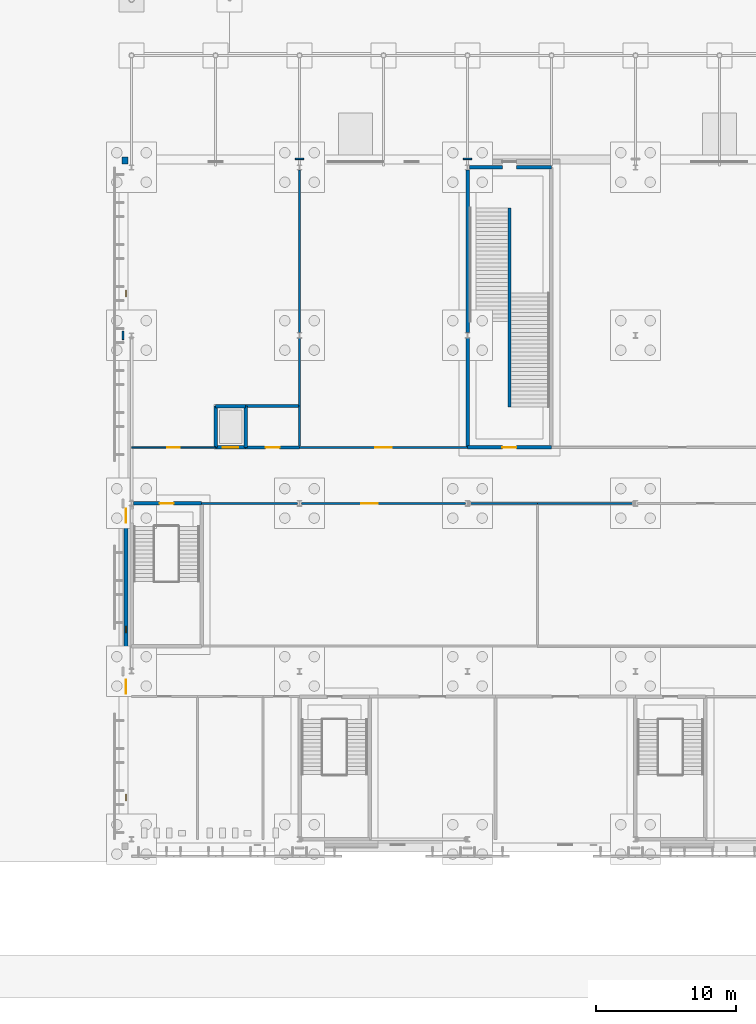
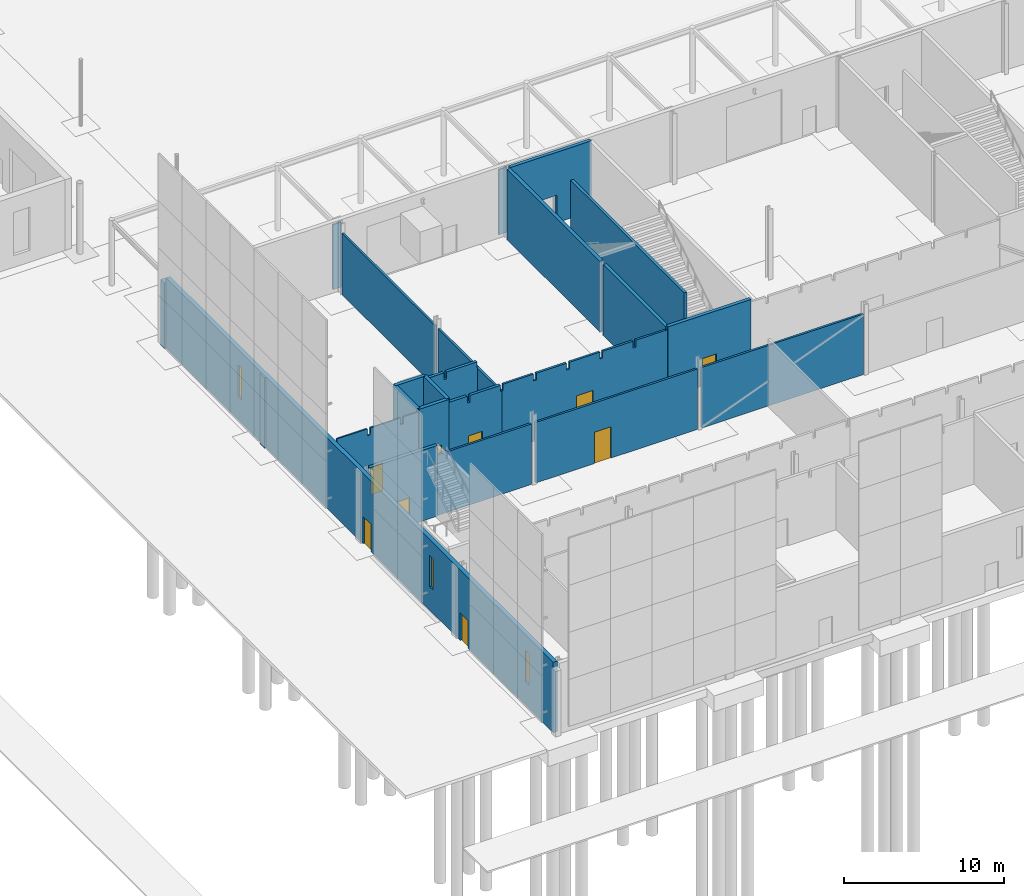
# One storey, part 66 of 132: 26 walls, 9 doors, 3 windows, 13 openings.
"""IFC4 building model written with IfcOpenShell, lengths in metres."""

from ifc_helpers import new_model, si_unit, direction, frame, frame_2d, origin, place, context, subcontext, project, spatial, polyline, rectangle, outline, extrude, material, layer, layer_set, type_object, element, fill, save


model = new_model("IFC4")

# Units and contexts
model_context = context("Model", 3, precision=1e-05, world=origin(), true_north=direction((0.0, 1.0)))
body_context = subcontext(model_context, "Body", "Model", "MODEL_VIEW")
ifc_project = project(units=[si_unit("LENGTHUNIT", "METRE"), si_unit("AREAUNIT", "SQUARE_METRE"), si_unit("VOLUMEUNIT", "CUBIC_METRE"), si_unit("PLANEANGLEUNIT", "RADIAN"), si_unit("MASSUNIT", "GRAM", prefix="KILO")], contexts=[model_context])

# Site, building, storey
site_placement = place(None, origin())
site = spatial("IfcSite", under=ifc_project, at=site_placement, CompositionType="ELEMENT")
building_placement = place(site_placement, origin())
building = spatial("IfcBuilding", under=site, at=building_placement, Name="Ravi Spectrum Wholesale Market", CompositionType="ELEMENT")
storey_placement = place(building_placement, origin())
storey = spatial("IfcBuildingStorey", under=building, at=storey_placement, Name="L00", CompositionType="ELEMENT", Elevation=0.0)

# Wall, opening, door
ifc_material_1 = material(Name="Concrete blockwork", Category="masonry")
ifc_layer_1 = layer(ifc_material_1, 0.199951171875)
ifc_layer_set_1 = layer_set([ifc_layer_1], Name="Concrete blockwork")
wall_type_1 = type_object("IfcWallType", Name="Blockwork partition 200 fire", PredefinedType="PARTITIONING", material=ifc_layer_set_1)
wall_1_placement = place(storey_placement, frame((206.14990234375, 46.0, 0.0), z_axis=(0.0, 0.0, 1.0), x_axis=(1.0, 0.0, 0.0)))
wall_1 = element("IfcWall", 1, at=wall_1_placement, inside=storey, type_object=wall_type_1, Name="CS-WL-L00-085", PredefinedType="PARTITIONING", context=body_context, shape_type="SweptSolid", body=[
    extrude(outline(polyline([(0.0, 0.0), (3.85009765625, 0.0), (3.85009765625, 4.679931640625), (3.7548828125, 4.679931640625), (3.75, 5.14990234375), (1.554931640625, 5.14990234375), (1.550048828125, 4.6298828125), (1.35009765625, 4.6298828125), (1.344970703125, 5.14990234375), (0.0, 5.14990234375), (0.0, 0.0)])), frame((0.0, 0.10009765625, 0.0), z_axis=(0.0, -1.0, 0.0), x_axis=(1.0, 0.0, 0.0)), (0.0, 0.0, 1.0), 0.199951171875),
])
opening_1_placement = place(wall_1_placement, frame((1.425048828125, 0.0, 0.0)))
opening_1 = element("IfcOpeningElement", 2, at=opening_1_placement, cuts=wall_1, Name="Opening D493", PredefinedType="OPENING", context=body_context, shape_type="SweptSolid", body=[
    extrude(rectangle(XDim=1.0, YDim=2.10009765625, at=frame_2d((0.5, 1.050048828125))), frame((0.0, 0.10986328125, 0.0), z_axis=(0.0, -1.0, 0.0), x_axis=(1.0, 0.0, 0.0)), (0.0, 0.0, 1.0), 0.219970703125),
])
ifc_material_2 = material(Name="Steel door", Category="steel")
door_type_1 = type_object("IfcDoorType", Name="Plant room door 1000 x 2100", OperationType="SINGLE_SWING_LEFT", PredefinedType="DOOR", material=ifc_material_2)
door_1_placement = place(opening_1_placement, origin())
door_1 = element("IfcDoor", 3, at=door_1_placement, inside=storey, type_object=door_type_1, Name="Riser access door D493", OperationType="SINGLE_SWING_RIGHT", OverallHeight=2.10009765625, OverallWidth=1.0, PredefinedType="DOOR", context=body_context, shape_type="SweptSolid", body=[
    extrude(rectangle(XDim=1.0, YDim=2.10009765625, at=frame_2d((0.5, 1.050048828125))), frame((0.0, 0.02490234375, 0.0), z_axis=(0.0, -1.0, 0.0), x_axis=(1.0, 0.0, 0.0)), (0.0, 0.0, 1.0), 0.050048828125),
])
fill(opening_1, door_1)

# Wall
wall_2_placement = place(storey_placement, frame((206.14990234375, 48.949951171875, 0.0), z_axis=(0.0, 0.0, 1.0), x_axis=(1.0, 0.0, 0.0)))
element("IfcWall", 4, at=wall_2_placement, inside=storey, type_object=wall_type_1, Name="CS-WL-L00-091", PredefinedType="PARTITIONING", context=body_context, shape_type="SweptSolid", body=[
    extrude(outline(polyline([(0.0, 0.0), (3.775146484375, 0.0), (3.77490234375, 4.679931640625), (3.7548828125, 4.679931640625), (3.75, 5.14990234375), (1.554931640625, 5.14990234375), (1.550048828125, 4.6298828125), (1.35009765625, 4.6298828125), (1.344970703125, 5.14990234375), (0.0, 5.14990234375), (0.0, 0.0)])), frame((0.0, 0.10009765625, 0.0), z_axis=(0.0, -1.0, 0.0), x_axis=(1.0, 0.0, 0.0)), (0.0, 0.0, 1.0), 0.199951171875),
])

# Wall, openings, doors, windows
ifc_material_3 = material(Name="Brick-faced insulated panel", Category="masonry")
ifc_layer_2 = layer(ifc_material_3, 0.300048828125)
ifc_layer_set_2 = layer_set([ifc_layer_2], Name="Brick-faced insulated panel")
wall_type_2 = type_object("IfcWallType", Name="Brick faced insulated panel 300", PredefinedType="SOLIDWALL", material=ifc_layer_set_2)
wall_3_placement = place(storey_placement, frame((197.60009765625, 66.25, 0.0), z_axis=(0.0, 0.0, 1.0), x_axis=(0.0, -1.0, 0.0)))
wall_3 = element("IfcWall", 5, at=wall_3_placement, inside=storey, type_object=wall_type_2, Name="CS-WL-L00-059", PredefinedType="SOLIDWALL", context=body_context, shape_type="SweptSolid", body=[
    extrude(rectangle(XDim=48.5, YDim=0.300048828125, at=frame_2d((24.25, 0.0))), origin(), (0.0, 0.0, 1.0), 5.39990234375),
])
opening_2_placement = place(wall_3_placement, frame((25.64990234375, 0.0, 0.0), z_axis=(0.0, 0.0, 1.0), x_axis=(-1.0, 0.0, 0.0)))
opening_2 = element("IfcOpeningElement", 6, at=opening_2_placement, cuts=wall_3, Name="Opening D476", PredefinedType="OPENING", context=body_context, shape_type="SweptSolid", body=[
    extrude(rectangle(XDim=1.0, YDim=2.10009765625, at=frame_2d((0.5, 1.050048828125))), frame((0.0, 0.159912109375, 0.0), z_axis=(0.0, -1.0, 0.0), x_axis=(1.0, 0.0, 0.0)), (0.0, 0.0, 1.0), 0.320068359375),
])
opening_3_placement = place(wall_3_placement, frame((37.85009765625, 0.0, 0.0), z_axis=(0.0, 0.0, 1.0), x_axis=(-1.0, 0.0, 0.0)))
opening_3 = element("IfcOpeningElement", 7, at=opening_3_placement, cuts=wall_3, Name="Opening D478", PredefinedType="OPENING", context=body_context, shape_type="SweptSolid", body=[
    extrude(rectangle(XDim=1.0, YDim=2.10009765625, at=frame_2d((0.5, 1.050048828125))), frame((0.0, 0.159912109375, 0.0), z_axis=(0.0, -1.0, 0.0), x_axis=(1.0, 0.0, 0.0)), (0.0, 0.0, 1.0), 0.320068359375),
])
opening_4_placement = place(wall_3_placement, frame((9.02490234375, 0.0, 1.800048828125)))
opening_4 = element("IfcOpeningElement", 8, at=opening_4_placement, cuts=wall_3, Name="Opening W2611", PredefinedType="OPENING", context=body_context, shape_type="SweptSolid", body=[
    extrude(rectangle(XDim=0.449951171875, YDim=2.39990234375, at=frame_2d((0.22509765625, 1.199951171875))), frame((0.0, 0.159912109375, 0.0), z_axis=(0.0, -1.0, 0.0), x_axis=(1.0, 0.0, 0.0)), (0.0, 0.0, 1.0), 0.320068359375),
])
opening_5_placement = place(wall_3_placement, frame((33.02490234375, 0.0, 1.800048828125)))
opening_5 = element("IfcOpeningElement", 9, at=opening_5_placement, cuts=wall_3, Name="Opening W2613", PredefinedType="OPENING", context=body_context, shape_type="SweptSolid", body=[
    extrude(rectangle(XDim=0.449951171875, YDim=2.39990234375, at=frame_2d((0.22509765625, 1.199951171875))), frame((0.0, 0.159912109375, 0.0), z_axis=(0.0, -1.0, 0.0), x_axis=(1.0, 0.0, 0.0)), (0.0, 0.0, 1.0), 0.320068359375),
])
opening_6_placement = place(wall_3_placement, frame((45.02490234375, 0.0, 1.800048828125)))
opening_6 = element("IfcOpeningElement", 10, at=opening_6_placement, cuts=wall_3, Name="Opening W2614", PredefinedType="OPENING", context=body_context, shape_type="SweptSolid", body=[
    extrude(rectangle(XDim=0.449951171875, YDim=2.39990234375, at=frame_2d((0.22509765625, 1.199951171875))), frame((0.0, 0.159912109375, 0.0), z_axis=(0.0, -1.0, 0.0), x_axis=(1.0, 0.0, 0.0)), (0.0, 0.0, 1.0), 0.320068359375),
])
ifc_material_4 = material(Name="Steel door", Category="steel")
door_type_2 = type_object("IfcDoorType", Name="Pedestrian exit door 1000 x 2100", OperationType="SINGLE_SWING_LEFT", PredefinedType="DOOR", material=ifc_material_4)
door_2_placement = place(opening_2_placement, origin())
door_2 = element("IfcDoor", 11, at=door_2_placement, inside=storey, type_object=door_type_2, Name="Door D476", OperationType="SINGLE_SWING_RIGHT", OverallHeight=2.10009765625, OverallWidth=1.0, PredefinedType="DOOR", context=body_context, shape_type="SweptSolid", body=[
    extrude(rectangle(XDim=1.0, YDim=2.10009765625, at=frame_2d((0.5, 1.050048828125))), frame((0.0, 0.02490234375, 0.0), z_axis=(0.0, -1.0, 0.0), x_axis=(1.0, 0.0, 0.0)), (0.0, 0.0, 1.0), 0.050048828125),
])
fill(opening_2, door_2)
door_3_placement = place(opening_3_placement, origin())
door_3 = element("IfcDoor", 12, at=door_3_placement, inside=storey, type_object=door_type_2, Name="Door D478", OperationType="SINGLE_SWING_LEFT", OverallHeight=2.10009765625, OverallWidth=1.0, PredefinedType="DOOR", context=body_context, shape_type="SweptSolid", body=[
    extrude(rectangle(XDim=1.0, YDim=2.10009765625, at=frame_2d((0.5, 1.050048828125))), frame((0.0, 0.02490234375, 0.0), z_axis=(0.0, -1.0, 0.0), x_axis=(1.0, 0.0, 0.0)), (0.0, 0.0, 1.0), 0.050048828125),
])
fill(opening_3, door_3)
ifc_material_5 = material(Name="Steel window frame", Category="steel")
window_type = type_object("IfcWindowType", Name="Slot window 450 x 2400", PartitioningType="SINGLE_PANEL", PredefinedType="WINDOW", material=ifc_material_5)
window_1_placement = place(opening_4_placement, origin())
window_1 = element("IfcWindow", 13, at=window_1_placement, inside=storey, type_object=window_type, Name="Window W2611", OverallHeight=2.39990234375, OverallWidth=0.449951171875, PartitioningType="SINGLE_PANEL", PredefinedType="WINDOW", context=body_context, shape_type="SweptSolid", body=[
    extrude(rectangle(XDim=0.449951171875, YDim=2.39990234375, at=frame_2d((0.22509765625, 1.199951171875))), frame((0.0, 0.030029296875, 0.0), z_axis=(0.0, -1.0, 0.0), x_axis=(1.0, 0.0, 0.0)), (0.0, 0.0, 1.0), 0.06005859375),
])
fill(opening_4, window_1)
window_2_placement = place(opening_5_placement, origin())
window_2 = element("IfcWindow", 14, at=window_2_placement, inside=storey, type_object=window_type, Name="Window W2613", OverallHeight=2.39990234375, OverallWidth=0.449951171875, PartitioningType="SINGLE_PANEL", PredefinedType="WINDOW", context=body_context, shape_type="SweptSolid", body=[
    extrude(rectangle(XDim=0.449951171875, YDim=2.39990234375, at=frame_2d((0.22509765625, 1.199951171875))), frame((0.0, 0.030029296875, 0.0), z_axis=(0.0, -1.0, 0.0), x_axis=(1.0, 0.0, 0.0)), (0.0, 0.0, 1.0), 0.06005859375),
])
fill(opening_5, window_2)
window_3_placement = place(opening_6_placement, origin())
window_3 = element("IfcWindow", 15, at=window_3_placement, inside=storey, type_object=window_type, Name="Window W2614", OverallHeight=2.39990234375, OverallWidth=0.449951171875, PartitioningType="SINGLE_PANEL", PredefinedType="WINDOW", context=body_context, shape_type="SweptSolid", body=[
    extrude(rectangle(XDim=0.449951171875, YDim=2.39990234375, at=frame_2d((0.22509765625, 1.199951171875))), frame((0.0, 0.030029296875, 0.0), z_axis=(0.0, -1.0, 0.0), x_axis=(1.0, 0.0, 0.0)), (0.0, 0.0, 1.0), 0.06005859375),
])
fill(opening_6, window_3)

# Walls
ifc_material_6 = material(Name="Clinker brickwork", Category="masonry")
ifc_layer_3 = layer(ifc_material_6, 0.485107421875)
ifc_layer_set_3 = layer_set([ifc_layer_3], Name="Clinker brickwork")
wall_type_3 = type_object("IfcWallType", Name="Brick pier 485", PredefinedType="SOLIDWALL", material=ifc_layer_set_3)
wall_4_placement = place(storey_placement, frame((197.75, 66.492431640625, 0.0), z_axis=(0.0, 0.0, 1.0), x_axis=(-1.0, 0.0, 0.0)))
element("IfcWall", 16, at=wall_4_placement, inside=storey, type_object=wall_type_3, Name="CS-WL-L00-034", PredefinedType="SOLIDWALL", context=body_context, shape_type="SweptSolid", body=[
    extrude(rectangle(XDim=0.4150390625, YDim=0.485107421875, at=frame_2d((0.20751953125, 0.0))), origin(), (0.0, 0.0, 1.0), 5.010009765625),
])
ifc_material_7 = material(Name="Facing brickwork", Category="masonry")
ifc_layer_4 = layer(ifc_material_7, 0.114990234375)
ifc_layer_set_4 = layer_set([ifc_layer_4], Name="Facing brickwork")
wall_type_4 = type_object("IfcWallType", Name="Brick pilaster 115", PredefinedType="SOLIDWALL", material=ifc_layer_set_4)
for number, where, z_axis, x_axis, name in (
    (17, (222.300048828125, 66.607421875, 0.0), (0.0, 0.0, 1.0), (-1.0, 0.0, 0.0), "CS-WL-L00-051"),
    (18, (210.300048828125, 66.607421875, 0.0), (0.0, 0.0, 1.0), (-1.0, 0.0, 0.0), "CS-WL-L00-052"),
):
    element("IfcWall", number, at=place(storey_placement, frame(where, z_axis=z_axis, x_axis=x_axis)), inside=storey, type_object=wall_type_4, Name=name, PredefinedType="SOLIDWALL", context=body_context, shape_type="SweptSolid", body=[
        extrude(rectangle(XDim=0.60009765625, YDim=0.114990234375, at=frame_2d((0.300048828125, 0.0))), origin(), (0.0, 0.0, 1.0), 4.97998046875),
    ])
wall_5_placement = place(storey_placement, frame((197.392578125, 54.300048828125, 0.0), z_axis=(0.0, 0.0, 1.0), x_axis=(0.0, -1.0, 0.0)))
element("IfcWall", 19, at=wall_5_placement, inside=storey, type_object=wall_type_4, Name="CS-WL-L00-060", PredefinedType="SOLIDWALL", context=body_context, shape_type="SweptSolid", body=[
    extrude(rectangle(XDim=0.60009765625, YDim=0.114990234375, at=frame_2d((0.300048828125, 0.0))), origin(), (0.0, 0.0, 1.0), 5.39990234375),
])
ifc_material_8 = material(Name="Insulated panel")
ifc_layer_5 = layer(ifc_material_8, 0.14990234375)
ifc_layer_set_5 = layer_set([ifc_layer_5], Name="Insulated panel")
wall_type_5 = type_object("IfcWallType", Name="Cold store panel 150", PredefinedType="PARTITIONING", material=ifc_layer_set_5)
wall_6_placement = place(storey_placement, frame((203.0, 42.0, 0.0), z_axis=(0.0, 0.0, 1.0), x_axis=(1.0, 0.0, 0.0)))
element("IfcWall", 20, at=wall_6_placement, inside=storey, type_object=wall_type_5, Name="CS-WL-L00-075", PredefinedType="PARTITIONING", context=body_context, shape_type="SweptSolid", body=[
    extrude(rectangle(XDim=6.85009765625, YDim=0.14990234375, at=frame_2d((3.425048828125, 0.0))), origin(), (0.0, 0.0, 1.0), 4.6298828125),
])

# Wall, opening, door
wall_7_placement = place(storey_placement, frame((210.14990234375, 42.0, 0.0), z_axis=(0.0, 0.0, 1.0), x_axis=(1.0, 0.0, 0.0)))
wall_7 = element("IfcWall", 21, at=wall_7_placement, inside=storey, type_object=wall_type_5, Name="CS-WL-L00-076", PredefinedType="PARTITIONING", context=body_context, shape_type="SweptSolid", body=[
    extrude(rectangle(XDim=11.7001953125, YDim=0.14990234375, at=frame_2d((5.85009765625, 0.0))), origin(), (0.0, 0.0, 1.0), 4.6298828125),
])
opening_7_placement = place(wall_7_placement, frame((4.25, 0.0, 0.0)))
opening_7 = element("IfcOpeningElement", 22, at=opening_7_placement, cuts=wall_7, Name="Opening D466", PredefinedType="OPENING", context=body_context, shape_type="SweptSolid", body=[
    extrude(rectangle(XDim=1.199951171875, YDim=2.39990234375, at=frame_2d((0.60009765625, 1.199951171875))), frame((0.0, 0.0849609375, 0.0), z_axis=(0.0, -1.0, 0.0), x_axis=(1.0, 0.0, 0.0)), (0.0, 0.0, 1.0), 0.169921875),
])
ifc_material_9 = material(Name="Insulated panel door")
door_type_3 = type_object("IfcDoorType", Name="Cold store insulated door 1200 x 2400", OperationType="SINGLE_SWING_LEFT", PredefinedType="DOOR", material=ifc_material_9)
door_4_placement = place(opening_7_placement, origin())
door_4 = element("IfcDoor", 23, at=door_4_placement, inside=storey, type_object=door_type_3, Name="Door D466", OperationType="SINGLE_SWING_RIGHT", OverallHeight=2.39990234375, OverallWidth=1.199951171875, PredefinedType="DOOR", context=body_context, shape_type="SweptSolid", body=[
    extrude(rectangle(XDim=1.199951171875, YDim=2.39990234375, at=frame_2d((0.60009765625, 1.199951171875))), frame((0.0, 0.02490234375, 0.0), z_axis=(0.0, -1.0, 0.0), x_axis=(1.0, 0.0, 0.0)), (0.0, 0.0, 1.0), 0.050048828125),
])
fill(opening_7, door_4)

# Walls
wall_8_placement = place(storey_placement, frame((222.14990234375, 42.0, 0.0), z_axis=(0.0, 0.0, 1.0), x_axis=(1.0, 0.0, 0.0)))
element("IfcWall", 24, at=wall_8_placement, inside=storey, type_object=wall_type_5, Name="CS-WL-L00-077", PredefinedType="PARTITIONING", context=body_context, shape_type="SweptSolid", body=[
    extrude(rectangle(XDim=4.85009765625, YDim=0.14990234375, at=frame_2d((2.425048828125, 0.0))), origin(), (0.0, 0.0, 1.0), 4.6298828125),
])
wall_9_placement = place(storey_placement, frame((227.0, 42.0, 0.0), z_axis=(0.0, 0.0, 1.0), x_axis=(1.0, 0.0, 0.0)))
element("IfcWall", 25, at=wall_9_placement, inside=storey, type_object=wall_type_5, Name="CS-WL-L00-078", PredefinedType="PARTITIONING", context=body_context, shape_type="SweptSolid", body=[
    extrude(rectangle(XDim=6.85009765625, YDim=0.14990234375, at=frame_2d((3.425048828125, 0.0))), origin(), (0.0, 0.0, 1.0), 4.6298828125),
])

# Wall, opening, door
wall_10_placement = place(storey_placement, frame((210.0, 46.0, 0.0), z_axis=(0.0, 0.0, 1.0), x_axis=(1.0, 0.0, 0.0)))
wall_10 = element("IfcWall", 26, at=wall_10_placement, inside=storey, type_object=wall_type_5, Name="CS-WL-L00-086", PredefinedType="PARTITIONING", context=body_context, shape_type="SweptSolid", body=[
    extrude(outline(polyline([(0.0, 0.0), (12.0, 0.0), (12.0, 5.14990234375), (9.705078125, 5.14990234375), (9.699951171875, 4.6298828125), (9.5, 4.6298828125), (9.4951171875, 5.14990234375), (7.304931640625, 5.14990234375), (7.300048828125, 4.6298828125), (7.10009765625, 4.6298828125), (7.094970703125, 5.14990234375), (4.905029296875, 5.14990234375), (4.89990234375, 4.6298828125), (4.699951171875, 4.6298828125), (4.695068359375, 5.14990234375), (2.5048828125, 5.14990234375), (2.5, 4.6298828125), (2.300048828125, 4.6298828125), (2.294921875, 5.14990234375), (0.10009765625, 5.14990234375), (0.094970703125, 4.679931640625), (0.0, 4.679931640625), (0.0, 0.0)])), frame((0.0, 0.074951171875, 0.0), z_axis=(0.0, -1.0, 0.0), x_axis=(1.0, 0.0, 0.0)), (0.0, 0.0, 1.0), 0.14990234375),
])
opening_8_placement = place(wall_10_placement, frame((5.39990234375, 0.0, 0.0)))
opening_8 = element("IfcOpeningElement", 27, at=opening_8_placement, cuts=wall_10, Name="Opening D470", PredefinedType="OPENING", context=body_context, shape_type="SweptSolid", body=[
    extrude(rectangle(XDim=1.199951171875, YDim=2.39990234375, at=frame_2d((0.60009765625, 1.199951171875))), frame((0.0, 0.0849609375, 0.0), z_axis=(0.0, -1.0, 0.0), x_axis=(1.0, 0.0, 0.0)), (0.0, 0.0, 1.0), 0.169921875),
])
door_5_placement = place(opening_8_placement, origin())
door_5 = element("IfcDoor", 28, at=door_5_placement, inside=storey, type_object=door_type_3, Name="Door D470", OperationType="SINGLE_SWING_LEFT", OverallHeight=2.39990234375, OverallWidth=1.199951171875, PredefinedType="DOOR", context=body_context, shape_type="SweptSolid", body=[
    extrude(rectangle(XDim=1.199951171875, YDim=2.39990234375, at=frame_2d((0.60009765625, 1.199951171875))), frame((0.0, 0.02490234375, 0.0), z_axis=(0.0, -1.0, 0.0), x_axis=(1.0, 0.0, 0.0)), (0.0, 0.0, 1.0), 0.050048828125),
])
fill(opening_8, door_5)

# Walls
wall_11_placement = place(storey_placement, frame((210.0, 46.10009765625, 0.0), z_axis=(0.0, 0.0, 1.0), x_axis=(0.0, 1.0, 0.0)))
element("IfcWall", 29, at=wall_11_placement, inside=storey, type_object=wall_type_5, Name="CS-WL-L00-095", PredefinedType="PARTITIONING", context=body_context, shape_type="SweptSolid", body=[
    extrude(rectangle(XDim=2.849853515625, YDim=0.14990234375, at=frame_2d((1.4248046875, 0.0))), origin(), (0.0, 0.0, 1.0), 4.679931640625),
])
wall_12_placement = place(storey_placement, frame((210.0, 48.949951171875, 0.0), z_axis=(0.0, 0.0, 1.0), x_axis=(0.0, 1.0, 0.0)))
element("IfcWall", 30, at=wall_12_placement, inside=storey, type_object=wall_type_5, Name="CS-WL-L00-096", PredefinedType="PARTITIONING", context=body_context, shape_type="SweptSolid", body=[
    extrude(rectangle(XDim=4.85009765625, YDim=0.14990234375, at=frame_2d((2.425048828125, 0.0))), origin(), (0.0, 0.0, 1.0), 4.679931640625),
])
wall_13_placement = place(storey_placement, frame((210.0, 54.199951171875, 0.0), z_axis=(0.0, 0.0, 1.0), x_axis=(0.0, 1.0, 0.0)))
element("IfcWall", 31, at=wall_13_placement, inside=storey, type_object=wall_type_5, Name="CS-WL-L00-097", PredefinedType="PARTITIONING", context=body_context, shape_type="SweptSolid", body=[
    extrude(rectangle(XDim=11.630126953125, YDim=0.14990234375, at=frame_2d((5.81494140625, 0.0))), origin(), (0.0, 0.0, 1.0), 4.679931640625),
])

# Wall, opening, door
ifc_material_10 = material(Name="Concrete C35/45", Category="concrete")
ifc_layer_6 = layer(ifc_material_10, 0.25)
ifc_layer_set_6 = layer_set([ifc_layer_6], Name="Concrete C35/45")
wall_type_6 = type_object("IfcWallType", Name="Concrete core wall 250", PredefinedType="SHEAR", material=ifc_layer_set_6)
wall_14_placement = place(storey_placement, frame((198.14990234375, 42.0, 0.0), z_axis=(0.0, 0.0, 1.0), x_axis=(1.0, 0.0, 0.0)))
wall_14 = element("IfcWall", 32, at=wall_14_placement, inside=storey, type_object=wall_type_6, Name="Stair core wall Stair S-CS-1", PredefinedType="SHEAR", context=body_context, shape_type="SweptSolid", body=[
    extrude(rectangle(XDim=4.85009765625, YDim=0.25, at=frame_2d((2.425048828125, 0.0))), origin(), (0.0, 0.0, 1.0), 5.39990234375),
])
opening_9_placement = place(wall_14_placement, frame((1.85009765625, 0.0, 0.0)))
opening_9 = element("IfcOpeningElement", 33, at=opening_9_placement, cuts=wall_14, Name="Opening D450", PredefinedType="OPENING", context=body_context, shape_type="SweptSolid", body=[
    extrude(rectangle(XDim=1.0, YDim=2.10009765625, at=frame_2d((0.5, 1.050048828125))), frame((0.0, 0.135009765625, 0.0), z_axis=(0.0, -1.0, 0.0), x_axis=(1.0, 0.0, 0.0)), (0.0, 0.0, 1.0), 0.27001953125),
])
ifc_material_11 = material(Name="Steel door", Category="steel")
door_type_4 = type_object("IfcDoorType", Name="Stair door 1000 x 2100", OperationType="SINGLE_SWING_LEFT", PredefinedType="DOOR", material=ifc_material_11)
door_6_placement = place(opening_9_placement, origin())
door_6 = element("IfcDoor", 34, at=door_6_placement, inside=storey, type_object=door_type_4, Name="Door D450", OperationType="SINGLE_SWING_RIGHT", OverallHeight=2.10009765625, OverallWidth=1.0, PredefinedType="DOOR", context=body_context, shape_type="SweptSolid", body=[
    extrude(rectangle(XDim=1.0, YDim=2.10009765625, at=frame_2d((0.5, 1.050048828125))), frame((0.0, 0.02490234375, 0.0), z_axis=(0.0, -1.0, 0.0), x_axis=(1.0, 0.0, 0.0)), (0.0, 0.0, 1.0), 0.050048828125),
])
fill(opening_9, door_6)

wall_15_placement = place(storey_placement, frame((222.0, 46.0, 0.0), z_axis=(0.0, 0.0, 1.0), x_axis=(1.0, 0.0, 0.0)))
wall_15 = element("IfcWall", 35, at=wall_15_placement, inside=storey, type_object=wall_type_6, Name="Stair core wall Stair S-CS-3", PredefinedType="SHEAR", context=body_context, shape_type="SweptSolid", body=[
    extrude(rectangle(XDim=6.0, YDim=0.25, at=frame_2d((3.0, 0.0))), origin(), (0.0, 0.0, 1.0), 5.39990234375),
])
opening_10_placement = place(wall_15_placement, frame((2.5, 0.0, 0.0)))
opening_10 = element("IfcOpeningElement", 36, at=opening_10_placement, cuts=wall_15, Name="Opening D452", PredefinedType="OPENING", context=body_context, shape_type="SweptSolid", body=[
    extrude(rectangle(XDim=1.0, YDim=2.10009765625, at=frame_2d((0.5, 1.050048828125))), frame((0.0, 0.135009765625, 0.0), z_axis=(0.0, -1.0, 0.0), x_axis=(1.0, 0.0, 0.0)), (0.0, 0.0, 1.0), 0.27001953125),
])
door_7_placement = place(opening_10_placement, origin())
door_7 = element("IfcDoor", 37, at=door_7_placement, inside=storey, type_object=door_type_4, Name="Door D452", OperationType="SINGLE_SWING_RIGHT", OverallHeight=2.10009765625, OverallWidth=1.0, PredefinedType="DOOR", context=body_context, shape_type="SweptSolid", body=[
    extrude(rectangle(XDim=1.0, YDim=2.10009765625, at=frame_2d((0.5, 1.050048828125))), frame((0.0, 0.02490234375, 0.0), z_axis=(0.0, -1.0, 0.0), x_axis=(1.0, 0.0, 0.0)), (0.0, 0.0, 1.0), 0.050048828125),
])
fill(opening_10, door_7)

# Wall, opening
wall_16_placement = place(storey_placement, frame((222.14990234375, 66.0, 0.0), z_axis=(0.0, 0.0, 1.0), x_axis=(1.0, 0.0, 0.0)))
wall_16 = element("IfcWall", 38, at=wall_16_placement, inside=storey, type_object=wall_type_6, Name="Stair core wall Stair S-CS-3", PredefinedType="SHEAR", context=body_context, shape_type="SweptSolid", body=[
    extrude(rectangle(XDim=5.85009765625, YDim=0.25, at=frame_2d((2.925048828125, 0.0))), origin(), (0.0, 0.0, 1.0), 5.39990234375),
])
opening_11_placement = place(wall_16_placement, frame((2.35009765625, 0.0, 0.0)))
element("IfcOpeningElement", 39, at=opening_11_placement, cuts=wall_16, Name="Opening CS-OP-L00-018", PredefinedType="OPENING", context=body_context, shape_type="SweptSolid", body=[
    extrude(rectangle(XDim=1.0, YDim=2.10009765625, at=frame_2d((0.5, 1.050048828125))), frame((0.0, 0.135009765625, 0.0), z_axis=(0.0, -1.0, 0.0), x_axis=(1.0, 0.0, 0.0)), (0.0, 0.0, 1.0), 0.27001953125),
])

# Walls
wall_17_placement = place(storey_placement, frame((222.0, 46.0, 0.0), z_axis=(0.0, 0.0, 1.0), x_axis=(0.0, 1.0, 0.0)))
element("IfcWall", 40, at=wall_17_placement, inside=storey, type_object=wall_type_6, Name="Stair core wall Stair S-CS-3", PredefinedType="SHEAR", context=body_context, shape_type="SweptSolid", body=[
    extrude(rectangle(XDim=7.800048828125, YDim=0.25, at=frame_2d((3.89990234375, 0.0))), origin(), (0.0, 0.0, 1.0), 5.39990234375),
])
wall_18_placement = place(storey_placement, frame((222.0, 54.199951171875, 0.0), z_axis=(0.0, 0.0, 1.0), x_axis=(0.0, 1.0, 0.0)))
element("IfcWall", 41, at=wall_18_placement, inside=storey, type_object=wall_type_6, Name="Stair core wall Stair S-CS-3", PredefinedType="SHEAR", context=body_context, shape_type="SweptSolid", body=[
    extrude(rectangle(XDim=11.630126953125, YDim=0.25, at=frame_2d((5.81494140625, 0.0))), origin(), (0.0, 0.0, 1.0), 5.39990234375),
])
ifc_material_12 = material(Name="Concrete C35/45", Category="concrete")
ifc_layer_7 = layer(ifc_material_12, 0.199951171875)
ifc_layer_set_7 = layer_set([ifc_layer_7], Name="Concrete C35/45")
wall_type_7 = type_object("IfcWallType", Name="Concrete stair divider 200", PredefinedType="SHEAR", material=ifc_layer_set_7)
wall_19_placement = place(storey_placement, frame((225.0, 48.89990234375, 0.0), z_axis=(0.0, 0.0, 1.0), x_axis=(0.0, 1.0, 0.0)))
element("IfcWall", 42, at=wall_19_placement, inside=storey, type_object=wall_type_7, Name="Stair divider wall S-CS-3", PredefinedType="SHEAR", context=body_context, shape_type="SweptSolid", body=[
    extrude(rectangle(XDim=14.2001953125, YDim=0.199951171875, at=frame_2d((7.10009765625, 0.0))), origin(), (0.0, 0.0, 1.0), 5.14990234375),
])

# Wall, opening, door
ifc_material_13 = material(Name="Gypsum board partition")
ifc_layer_8 = layer(ifc_material_13, 0.10009765625)
ifc_layer_set_8 = layer_set([ifc_layer_8], Name="Gypsum board partition")
wall_type_8 = type_object("IfcWallType", Name="Drywall partition 100", PredefinedType="PARTITIONING", material=ifc_layer_set_8)
wall_20_placement = place(storey_placement, frame((198.0, 46.0, 0.0), z_axis=(0.0, 0.0, 1.0), x_axis=(1.0, 0.0, 0.0)))
wall_20 = element("IfcWall", 43, at=wall_20_placement, inside=storey, type_object=wall_type_8, Name="CS-WL-L00-084", PredefinedType="PARTITIONING", context=body_context, shape_type="SweptSolid", body=[
    extrude(outline(polyline([(0.0, 0.0), (6.0, 0.0), (6.0, 5.14990234375), (4.905029296875, 5.14990234375), (4.89990234375, 4.6298828125), (4.699951171875, 4.6298828125), (4.695068359375, 5.14990234375), (2.5048828125, 5.14990234375), (2.5, 4.6298828125), (2.300048828125, 4.6298828125), (2.294921875, 5.14990234375), (0.10009765625, 5.14990234375), (0.094970703125, 4.679931640625), (0.0, 4.679931640625), (0.0, 0.0)])), frame((0.0, 0.050048828125, 0.0), z_axis=(0.0, -1.0, 0.0), x_axis=(1.0, 0.0, 0.0)), (0.0, 0.0, 1.0), 0.10009765625),
])
opening_12_placement = place(wall_20_placement, frame((2.550048828125, 0.0, 0.0)))
opening_12 = element("IfcOpeningElement", 44, at=opening_12_placement, cuts=wall_20, Name="Opening D469", PredefinedType="OPENING", context=body_context, shape_type="SweptSolid", body=[
    extrude(rectangle(XDim=0.89990234375, YDim=2.10009765625, at=frame_2d((0.449951171875, 1.050048828125))), frame((0.0, 0.06005859375, 0.0), z_axis=(0.0, -1.0, 0.0), x_axis=(1.0, 0.0, 0.0)), (0.0, 0.0, 1.0), 0.1201171875),
])
ifc_material_14 = material(Name="Timber door", Category="wood")
door_type_5 = type_object("IfcDoorType", Name="Office door 900 x 2100", OperationType="SINGLE_SWING_LEFT", PredefinedType="DOOR", material=ifc_material_14)
door_8_placement = place(opening_12_placement, origin())
door_8 = element("IfcDoor", 45, at=door_8_placement, inside=storey, type_object=door_type_5, Name="Door D469", OperationType="SINGLE_SWING_RIGHT", OverallHeight=2.10009765625, OverallWidth=0.89990234375, PredefinedType="DOOR", context=body_context, shape_type="SweptSolid", body=[
    extrude(rectangle(XDim=0.89990234375, YDim=2.10009765625, at=frame_2d((0.449951171875, 1.050048828125))), frame((0.0, 0.02490234375, 0.0), z_axis=(0.0, -1.0, 0.0), x_axis=(1.0, 0.0, 0.0)), (0.0, 0.0, 1.0), 0.050048828125),
])
fill(opening_12, door_8)

# Walls
ifc_material_15 = material(Name="Concrete C35/45", Category="concrete")
ifc_layer_9 = layer(ifc_material_15, 0.25)
ifc_layer_set_9 = layer_set([ifc_layer_9], Name="Concrete C35/45")
wall_type_9 = type_object("IfcWallType", Name="Shaft wall 250", PredefinedType="SHEAR", material=ifc_layer_set_9)
wall_21_placement = place(storey_placement, frame((206.14990234375, 46.0, -1.39990234375), z_axis=(0.0, 0.0, 1.0), x_axis=(0.0, 1.0, 0.0)))
element("IfcWall", 46, at=wall_21_placement, inside=storey, type_object=wall_type_9, Name="CS-WL-L00-LF-CS-1-E", PredefinedType="SHEAR", context=body_context, shape_type="SweptSolid", body=[
    extrude(rectangle(XDim=2.949951171875, YDim=0.25, at=frame_2d((1.47509765625, 0.0))), origin(), (0.0, 0.0, 1.0), 6.7998046875),
])
wall_22_placement = place(storey_placement, frame((206.14990234375, 48.949951171875, -1.39990234375), z_axis=(0.0, 0.0, 1.0), x_axis=(-1.0, 0.0, 0.0)))
element("IfcWall", 47, at=wall_22_placement, inside=storey, type_object=wall_type_9, Name="CS-WL-L00-LF-CS-1-N", PredefinedType="SHEAR", context=body_context, shape_type="SweptSolid", body=[
    extrude(rectangle(XDim=2.14990234375, YDim=0.25, at=frame_2d((1.074951171875, 0.0))), origin(), (0.0, 0.0, 1.0), 6.7998046875),
])

# Wall, opening, door
wall_23_placement = place(storey_placement, frame((204.0, 46.0, -1.39990234375), z_axis=(0.0, 0.0, 1.0), x_axis=(1.0, 0.0, 0.0)))
wall_23 = element("IfcWall", 48, at=wall_23_placement, inside=storey, type_object=wall_type_9, Name="CS-WL-L00-LF-CS-1-S", PredefinedType="SHEAR", context=body_context, shape_type="SweptSolid", body=[
    extrude(rectangle(XDim=2.14990234375, YDim=0.25, at=frame_2d((1.074951171875, 0.0))), origin(), (0.0, 0.0, 1.0), 6.7998046875),
])
opening_13_placement = place(wall_23_placement, frame((0.52490234375, 0.0, 1.39990234375)))
opening_13 = element("IfcOpeningElement", 49, at=opening_13_placement, cuts=wall_23, Name="Opening D457", PredefinedType="OPENING", context=body_context, shape_type="SweptSolid", body=[
    extrude(rectangle(XDim=1.10009765625, YDim=2.10009765625, at=frame_2d((0.550048828125, 1.050048828125))), frame((0.0, 0.135009765625, 0.0), z_axis=(0.0, -1.0, 0.0), x_axis=(1.0, 0.0, 0.0)), (0.0, 0.0, 1.0), 0.27001953125),
])
ifc_material_16 = material(Name="Stainless steel door", Category="steel")
door_type_6 = type_object("IfcDoorType", Name="Lift landing door 1100 x 2100", OperationType="SLIDING_TO_LEFT", PredefinedType="DOOR", material=ifc_material_16)
door_9_placement = place(opening_13_placement, origin())
door_9 = element("IfcDoor", 50, at=door_9_placement, inside=storey, type_object=door_type_6, Name="Landing door LF-CS-1 L00", OperationType="SLIDING_TO_LEFT", OverallHeight=2.10009765625, OverallWidth=1.10009765625, PredefinedType="DOOR", context=body_context, shape_type="SweptSolid", body=[
    extrude(rectangle(XDim=1.10009765625, YDim=2.10009765625, at=frame_2d((0.550048828125, 1.050048828125))), frame((0.0, 0.02490234375, 0.0), z_axis=(0.0, -1.0, 0.0), x_axis=(1.0, 0.0, 0.0)), (0.0, 0.0, 1.0), 0.050048828125),
])
fill(opening_13, door_9)

# Wall
wall_24_placement = place(storey_placement, frame((204.0, 48.949951171875, -1.39990234375), z_axis=(0.0, 0.0, 1.0), x_axis=(0.0, -1.0, 0.0)))
element("IfcWall", 51, at=wall_24_placement, inside=storey, type_object=wall_type_9, Name="CS-WL-L00-LF-CS-1-W", PredefinedType="SHEAR", context=body_context, shape_type="SweptSolid", body=[
    extrude(rectangle(XDim=2.949951171875, YDim=0.25, at=frame_2d((1.47509765625, 0.0))), origin(), (0.0, 0.0, 1.0), 6.7998046875),
])

save(model, "model.ifc")
